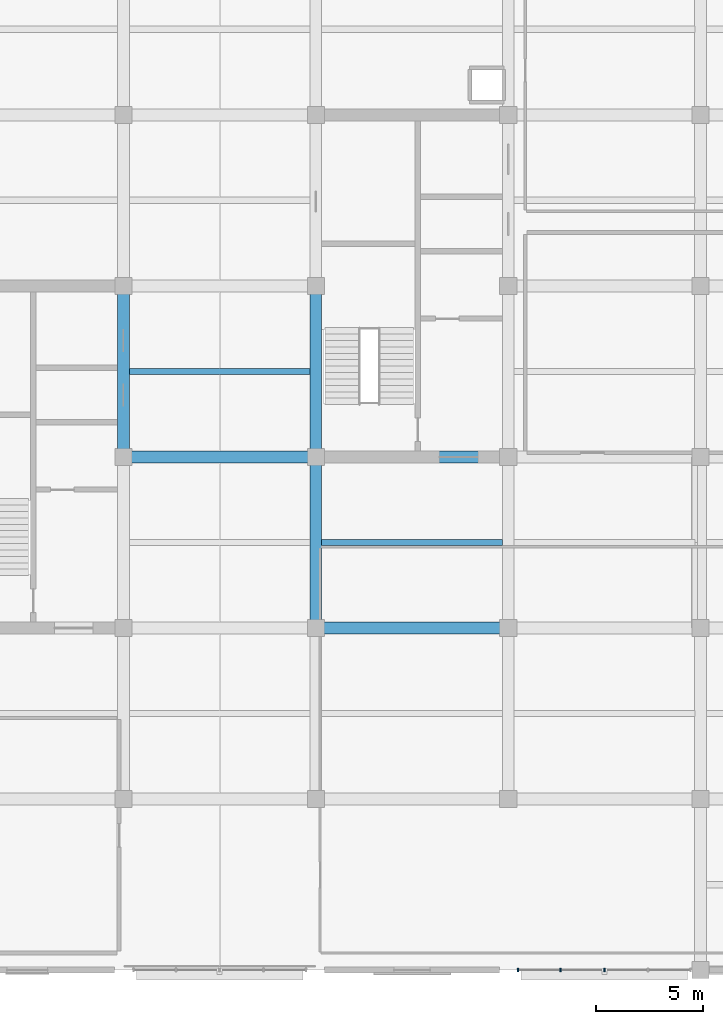
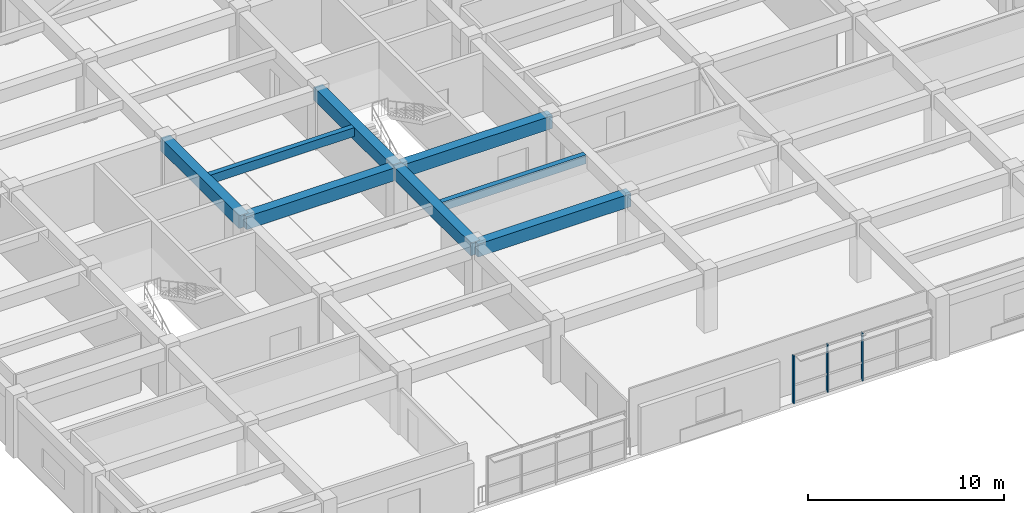
# One storey, part 5 of 16: 8 beams, 3 members, 1 element without a shape of its own.
"""IFC4 building model written with IfcOpenShell, lengths in metres."""

from ifc_helpers import new_model, si_unit, direction, frame, origin, origin_2d, place, context, subcontext, project, spatial, rectangle, extrude, material, material_profile, profile_set, type_object, element, aggregate, save


model = new_model("IFC4")

# Units and contexts
model_context = context("Model", 3, precision=1e-05, world=origin(), true_north=direction((0.0, 1.0)))
body_context = subcontext(model_context, "Body", "Model", "MODEL_VIEW")
ifc_project = project(units=[si_unit("LENGTHUNIT", "METRE"), si_unit("AREAUNIT", "SQUARE_METRE"), si_unit("VOLUMEUNIT", "CUBIC_METRE"), si_unit("PLANEANGLEUNIT", "RADIAN"), si_unit("MASSUNIT", "GRAM", prefix="KILO")], contexts=[model_context])

# Site, building, storey
site_placement = place(None, origin())
site = spatial("IfcSite", under=ifc_project, at=site_placement, CompositionType="ELEMENT")
building_placement = place(site_placement, origin())
building = spatial("IfcBuilding", under=site, at=building_placement, Name="Zaverband Oceanarium and Marine Research Institute", CompositionType="ELEMENT")
storey_placement = place(building_placement, frame((0.0, 0.0, 37.5)))
storey = spatial("IfcBuildingStorey", under=building, at=storey_placement, Name="L09", CompositionType="ELEMENT", Elevation=37.5)

# Beams
ifc_material_1 = material(Name="Concrete C40/50", Category="concrete")
ifc_material_profile_1 = material_profile(ifc_material_1, rectangle(XDim=0.550048828125, YDim=0.800048828125, at=origin_2d()), Name="RC550x800")
ifc_profile_set_1 = profile_set([ifc_material_profile_1], Name="Concrete C40/50")
beam_type_1 = type_object("IfcBeamType", Name="BM-550x800", PredefinedType="BEAM", material=ifc_profile_set_1)
for number, where, z_axis, x_axis, name in (
    (1, (36.0, 80.0, 3.25), (1.0, 0.0, 0.0), (0.0, 1.0, 0.0), "Primary floor girder BM-550x800"),
    (2, (27.0, 88.0, 3.25), (1.0, 0.0, 0.0), (0.0, 1.0, 0.0), "Primary floor girder BM-550x800"),
    (3, (36.0, 88.0, 3.25), (1.0, 0.0, 0.0), (0.0, 1.0, 0.0), "Primary floor girder BM-550x800"),
):
    element("IfcBeam", number, at=place(storey_placement, frame(where, z_axis=z_axis, x_axis=x_axis)), inside=storey, type_object=beam_type_1, Name=name, PredefinedType="BEAM", context=body_context, shape_type="SweptSolid", body=[
        extrude(rectangle(XDim=0.550048828125, YDim=0.800048828125, at=origin_2d()), origin(), (0.0, 0.0, 1.0), 9.0),
    ])
for number, where, z_axis, x_axis, name in (
    (4, (27.0, 88.0, 3.25), (0.0, 1.0, 0.0), (-1.0, 0.0, 0.0), "Primary floor girder BM-550x800"),
    (5, (36.0, 80.0, 3.25), (0.0, 1.0, 0.0), (-1.0, 0.0, 0.0), "Primary floor girder BM-550x800"),
    (6, (36.0, 88.0, 3.25), (0.0, 1.0, 0.0), (-1.0, 0.0, 0.0), "Primary floor girder BM-550x800"),
):
    element("IfcBeam", number, at=place(storey_placement, frame(where, z_axis=z_axis, x_axis=x_axis)), inside=storey, type_object=beam_type_1, Name=name, PredefinedType="BEAM", context=body_context, shape_type="SweptSolid", body=[
        extrude(rectangle(XDim=0.550048828125, YDim=0.800048828125, at=origin_2d()), origin(), (0.0, 0.0, 1.0), 8.0),
    ])
ifc_material_profile_2 = material_profile(ifc_material_1, rectangle(XDim=0.300048828125, YDim=0.550048828125, at=origin_2d()), Name="RC300x550")
ifc_profile_set_2 = profile_set([ifc_material_profile_2], Name="Concrete C40/50")
beam_type_2 = type_object("IfcBeamType", Name="JST-300x550", PredefinedType="JOIST", material=ifc_profile_set_2)
for number, where, z_axis, x_axis, name in (
    (7, (27.27490234375, 92.0, 3.375), (1.0, 0.0, 0.0), (0.0, 1.0, 0.0), "Secondary floor joist JST-300x550"),
    (8, (36.27490234375, 84.0, 3.375), (1.0, 0.0, 0.0), (0.0, 1.0, 0.0), "Secondary floor joist JST-300x550"),
):
    element("IfcBeam", number, at=place(storey_placement, frame(where, z_axis=z_axis, x_axis=x_axis)), inside=storey, type_object=beam_type_2, Name=name, PredefinedType="JOIST", context=body_context, shape_type="SweptSolid", body=[
        extrude(rectangle(XDim=0.300048828125, YDim=0.550048828125, at=origin_2d()), origin(), (0.0, 0.0, 1.0), 8.4501953125),
    ])

# Curtain wall, members
ifc_material_2 = material(Name="Thermally broken anodized aluminium and solar-control glass", Category="aluminium")
curtain_wall_type = type_object("IfcCurtainWallType", Name="CW-UNIT-1800", PredefinedType="NOTDEFINED", material=ifc_material_2)
curtain_wall_placement = place(storey_placement, origin())
curtain_wall = element("IfcCurtainWall", 9, at=curtain_wall_placement, inside=storey, type_object=curtain_wall_type, Name="Unitised glazed curtain wall CW-105", PredefinedType="NOTDEFINED")
ifc_material_3 = material(Name="Thermally broken anodized aluminium", Category="aluminium")
ifc_material_profile_3 = material_profile(ifc_material_3, rectangle(XDim=0.070068359375, YDim=0.14990234375, at=origin_2d()), Name="AL-MUL-70x150")
ifc_profile_set_3 = profile_set([ifc_material_profile_3], Name="Thermally broken anodized aluminium")
member_type = type_object("IfcMemberType", Name="MUL-70x150", PredefinedType="MULLION", material=ifc_profile_set_3)
member_1_placement = place(storey_placement, frame((45.465087890625, 64.0, 0.0), z_axis=(0.0, 0.0, 1.0), x_axis=(1.0, 0.0, 0.0)))
member_1 = element("IfcMember", 10, at=member_1_placement, type_object=member_type, Name="Curtain wall vertical mullion MUL-70x150", PredefinedType="MULLION", context=body_context, shape_type="SweptSolid", body=[
    extrude(rectangle(XDim=0.070068359375, YDim=0.14990234375, at=origin_2d()), origin(), (0.0, 0.0, 1.0), 2.97998046875),
])
member_2_placement = place(storey_placement, frame((47.452392578125, 64.0, 0.0), z_axis=(0.0, 0.0, 1.0), x_axis=(1.0, 0.0, 0.0)))
member_2 = element("IfcMember", 11, at=member_2_placement, type_object=member_type, Name="Curtain wall vertical mullion MUL-70x150", PredefinedType="MULLION", context=body_context, shape_type="SweptSolid", body=[
    extrude(rectangle(XDim=0.070068359375, YDim=0.14990234375, at=origin_2d()), origin(), (0.0, 0.0, 1.0), 2.97998046875),
])
member_3_placement = place(storey_placement, frame((49.5, 64.0, 0.0), z_axis=(0.0, 0.0, 1.0), x_axis=(1.0, 0.0, 0.0)))
member_3 = element("IfcMember", 12, at=member_3_placement, type_object=member_type, Name="Curtain wall vertical mullion MUL-70x150", PredefinedType="MULLION", context=body_context, shape_type="SweptSolid", body=[
    extrude(rectangle(XDim=0.070068359375, YDim=0.14990234375, at=origin_2d()), origin(), (0.0, 0.0, 1.0), 2.97998046875),
])
aggregate(curtain_wall, [member_1, member_2, member_3])

save(model, "model.ifc")
